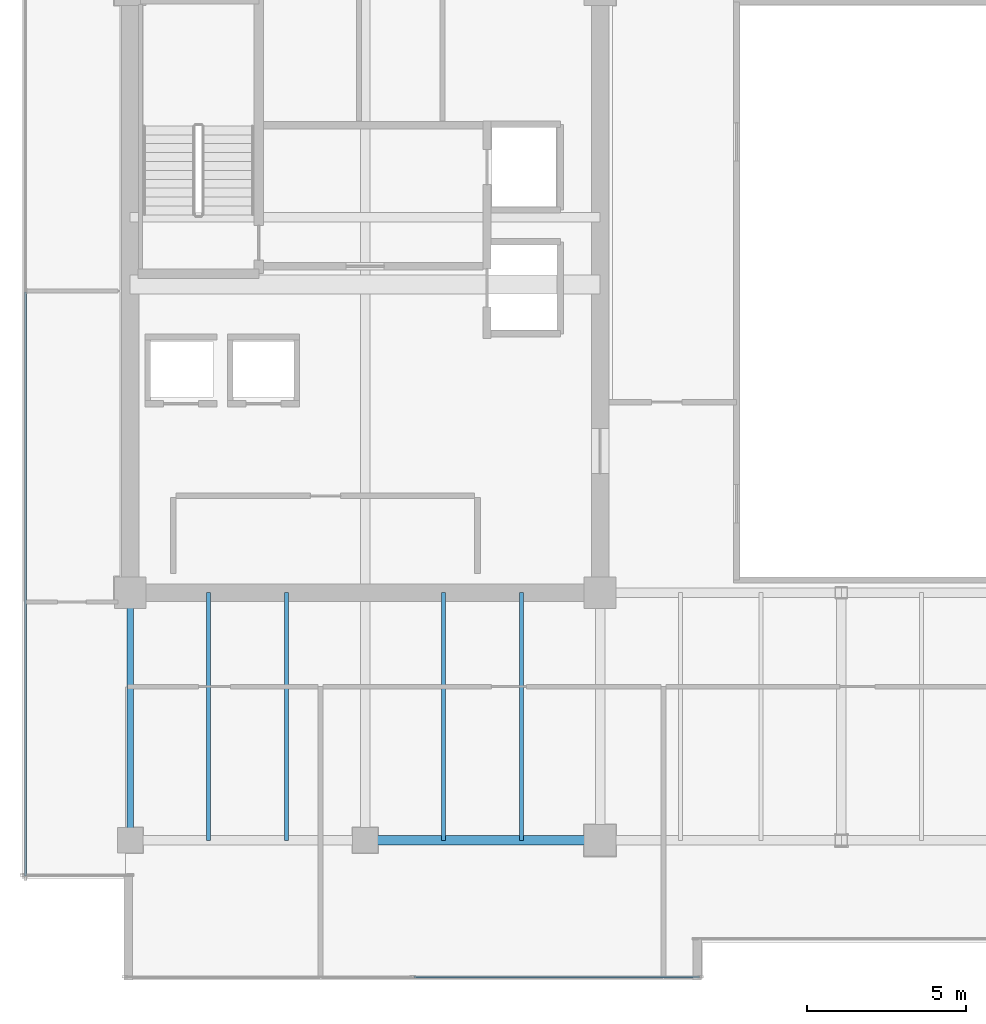
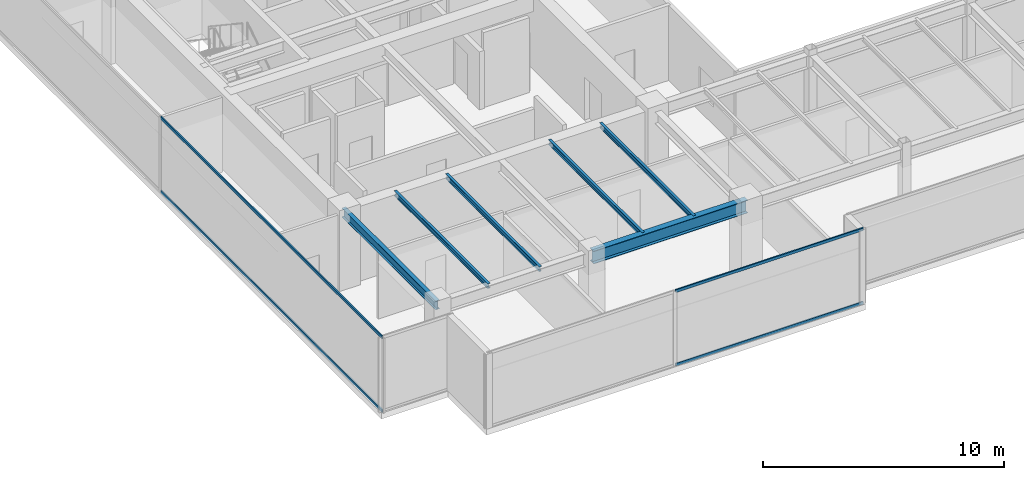
# One storey, part 6 of 36: 6 beams, 4 members, 2 elements without a shape of their own.
"""IFC4 building model written with IfcOpenShell, lengths in metres."""

import ifcopenshell
import ifcopenshell.guid

model = None  # the IFC model being written
_history = None  # IfcOwnerHistory: only IFC2X3 demands one
_inside = {}  # id of a spatial element -> (the spatial element, [elements in it])
_under = {}  # id of a project, library or spatial element -> (it, [spatial elements below it])
_declared = {}  # id of a project -> (the project, [libraries it declares])
_typed = {}  # id of a type object -> (the type object, [elements of that type])
_made_of = {}  # id of a material, layer set ... -> (it, [elements and type objects made of it])


def new_model(schema):
    """Start an empty IFC model of exactly this schema.

    Asked for "IFC4X3", IfcOpenShell would pick the latest addendum, in which some entities
    have other attributes; the version numbers below select the first issue.
    IFC2X3 requires an IfcOwnerHistory on every rooted entity: one is made here for all.
    """
    global model, _history
    if schema == "IFC4X3":
        model = ifcopenshell.file(schema_version=(4, 3, 0, 0))
    else:
        model = ifcopenshell.file(schema=schema)
    _inside.clear()
    _under.clear()
    _declared.clear()
    _typed.clear()
    _made_of.clear()
    _history = None
    if model.schema == "IFC2X3":
        org = make("IfcOrganization", Name="unknown")
        user = make(
            "IfcPersonAndOrganization",
            ThePerson=make("IfcPerson", FamilyName="unknown"),
            TheOrganization=org,
        )
        app = make(
            "IfcApplication",
            ApplicationDeveloper=org,
            Version="unknown",
            ApplicationFullName="unknown",
            ApplicationIdentifier="unknown",
        )
        _history = make(
            "IfcOwnerHistory",
            OwningUser=user,
            OwningApplication=app,
            ChangeAction="ADDED",
            CreationDate=0,
        )
    return model


def make(cls, **values):
    """One entity of the class cls with the attributes given. An attribute that is None is left unset."""
    return model.create_entity(
        cls, **{name: value for name, value in values.items() if value is not None}
    )


def rooted(cls, **values):
    """An entity with a GlobalId (a new one), such as an element, a storey or a relation."""
    return make(cls, GlobalId=ifcopenshell.guid.new(), OwnerHistory=_history, **values)


def si_unit(unit_type, name, prefix=None):
    """IfcSIUnit, for example si_unit("LENGTHUNIT", "METRE", prefix="MILLI")."""
    return make("IfcSIUnit", UnitType=unit_type, Prefix=prefix, Name=name)


def assignment(units):
    """IfcUnitAssignment: the units of a project."""
    return None if units is None else make("IfcUnitAssignment", Units=units)


def point(xyz):
    """IfcCartesianPoint."""
    return None if xyz is None else make("IfcCartesianPoint", Coordinates=xyz)


def direction(xyz):
    """IfcDirection."""
    return None if xyz is None else make("IfcDirection", DirectionRatios=xyz)


def frame(location, z_axis=None, x_axis=None):
    """IfcAxis2Placement3D, a coordinate frame: its origin and axes. An axis left out is left unset."""
    return make(
        "IfcAxis2Placement3D",
        Location=point(location),
        Axis=direction(z_axis),
        RefDirection=direction(x_axis),
    )


def frame_2d(location, x_axis=None):
    """IfcAxis2Placement2D, a coordinate frame in the plane: its origin and x axis."""
    return make(
        "IfcAxis2Placement2D", Location=point(location), RefDirection=direction(x_axis)
    )


def origin():
    """The frame at (0, 0, 0) with its axes left unset."""
    return frame((0.0, 0.0, 0.0))


def origin_2d():
    """The frame at (0, 0) in the plane with its x axis left unset."""
    return frame_2d((0.0, 0.0))


def place(relative_to, where):
    """IfcLocalPlacement: puts the frame where relative to a parent placement (None: the world)."""
    return make(
        "IfcLocalPlacement", PlacementRelTo=relative_to, RelativePlacement=where
    )


def context(
    kind, dimensions, precision=None, world=None, true_north=None, identifier=None
):
    """IfcGeometricRepresentationContext, for example the 3D "Model" context."""
    return make(
        "IfcGeometricRepresentationContext",
        ContextIdentifier=identifier,
        ContextType=kind,
        CoordinateSpaceDimension=dimensions,
        Precision=precision,
        WorldCoordinateSystem=world,
        TrueNorth=true_north,
    )


def subcontext(parent, identifier, kind, view, scale=None):
    """IfcGeometricRepresentationSubContext, for example "Body" below "Model"."""
    return make(
        "IfcGeometricRepresentationSubContext",
        ContextIdentifier=identifier,
        ContextType=kind,
        ParentContext=parent,
        TargetScale=scale,
        TargetView=view,
    )


def project(units=None, contexts=None):
    """IfcProject with its units and contexts."""
    return rooted(
        "IfcProject",
        Name="project",
        RepresentationContexts=contexts,
        UnitsInContext=assignment(units),
    )


def spatial(cls, under=None, at=None, **own):
    """A site, building, storey or space (cls), placed at a placement, below another one or the project."""
    s = rooted(cls, ObjectPlacement=at, **own)
    if under is not None:
        _under.setdefault(under.id(), (under, []))[1].append(s)
    return s


def profile(cls, at=None, kind="AREA", **sizes):
    """A parametric profile (cls). Its sizes go by their IFC names, for example OverallWidth=200.0."""
    return make(cls, ProfileType=kind, Position=at, **sizes)


def hollow_rectangle(**sizes):
    """IfcRectangleHollowProfileDef."""
    return profile("IfcRectangleHollowProfileDef", **sizes)


def i_section(**sizes):
    """IfcIShapeProfileDef."""
    return profile("IfcIShapeProfileDef", **sizes)


def extrude(swept, where, along, depth):
    """IfcExtrudedAreaSolid: the profile swept, set in the frame where, extruded along a direction by depth."""
    return make(
        "IfcExtrudedAreaSolid",
        SweptArea=swept,
        Position=where,
        ExtrudedDirection=direction(along),
        Depth=depth,
    )


def shape(context_of_items, identifier, shape_type, items):
    """IfcShapeRepresentation: the items that make up one representation, for example the "Body"."""
    return make(
        "IfcShapeRepresentation",
        ContextOfItems=context_of_items,
        RepresentationIdentifier=identifier,
        RepresentationType=shape_type,
        Items=items,
    )


def source(mapping_origin, context_of_items, identifier, shape_type, items):
    """IfcRepresentationMap: a shape defined once, which mapped items show again and again."""
    return make(
        "IfcRepresentationMap",
        MappingOrigin=mapping_origin,
        MappedRepresentation=shape(context_of_items, identifier, shape_type, items),
    )


def transform(
    local_origin,
    x_axis=None,
    y_axis=None,
    z_axis=None,
    scale=None,
    scale2=None,
    scale3=None,
    uniform=True,
):
    """IfcCartesianTransformationOperator3D, or its non-uniform kind. x_axis, y_axis, z_axis: its Axis1, 2, 3."""
    if uniform:
        return make(
            "IfcCartesianTransformationOperator3D",
            Axis1=direction(x_axis),
            Axis2=direction(y_axis),
            LocalOrigin=point(local_origin),
            Scale=scale,
            Axis3=direction(z_axis),
        )
    return make(
        "IfcCartesianTransformationOperator3DnonUniform",
        Axis1=direction(x_axis),
        Axis2=direction(y_axis),
        LocalOrigin=point(local_origin),
        Scale=scale,
        Axis3=direction(z_axis),
        Scale2=scale2,
        Scale3=scale3,
    )


def mapped(mapping_source, mapping_target):
    """IfcMappedItem: shows the shape of a source again, moved by a transform."""
    return make(
        "IfcMappedItem", MappingSource=mapping_source, MappingTarget=mapping_target
    )


def material(Name=None, Category=None):
    """IfcMaterial."""
    return make("IfcMaterial", Name=Name, Category=Category)


def layer(
    of_material, thickness, ventilated=None, Name=None, Category=None, Priority=None
):
    """IfcMaterialLayer: one layer of a wall or slab, of a material (None: an air gap)."""
    return make(
        "IfcMaterialLayer",
        Material=of_material,
        LayerThickness=thickness,
        IsVentilated=ventilated,
        Name=Name,
        Category=Category,
        Priority=Priority,
    )


def layer_set(layers, Name=None):
    """IfcMaterialLayerSet."""
    return make("IfcMaterialLayerSet", MaterialLayers=layers, LayerSetName=Name)


def material_profile(
    of_material, cross_section, Name=None, Category=None, Priority=None
):
    """IfcMaterialProfile: a cross section and its material."""
    return make(
        "IfcMaterialProfile",
        Name=Name,
        Material=of_material,
        Profile=cross_section,
        Priority=Priority,
        Category=Category,
    )


def profile_set(profiles, Name=None, composite=None):
    """IfcMaterialProfileSet."""
    return make(
        "IfcMaterialProfileSet",
        Name=Name,
        MaterialProfiles=profiles,
        CompositeProfile=composite,
    )


def made_of(thing, what):
    """Note that an element or type object is made of a material, layer set ...; save() writes the relation."""
    if what is not None:
        _made_of.setdefault(what.id(), (what, []))[1].append(thing)
    return thing


def type_object(cls, material=None, **own):
    """A type object (cls), such as IfcWallType, which elements share."""
    return made_of(rooted(cls, **own), material)


def type_shapes(of_type, sources):
    """Give a type object the sources (RepresentationMaps) that its elements show as mapped items."""
    of_type.RepresentationMaps = sources


def element(
    cls,
    number,
    at=None,
    inside=None,
    cuts=None,
    type_object=None,
    material=None,
    context=None,
    identifier="Body",
    shape_type=None,
    held_by="IfcProductDefinitionShape",
    body=None,
    shapes=None,
    **own,
):
    """One element of the class cls, such as IfcWall. Its Tag is "e" and its number.

    at: its placement. inside: the storey or other place that contains it. cuts: it is an
    opening in that element (IfcRelVoidsElement). A single representation is given by context,
    identifier, shape_type and body (its items); several are given by shapes. held_by: the class
    of the entity that holds the representations. save() writes the other relations.
    """
    e = rooted(cls, Tag="e%d" % number, ObjectPlacement=at, **own)
    if body is not None:
        shapes = [shape(context, identifier, shape_type, body)]
    if shapes is not None:
        e.Representation = make(held_by, Representations=shapes)
    if inside is not None:
        _inside.setdefault(inside.id(), (inside, []))[1].append(e)
    if cuts is not None:
        rooted(
            "IfcRelVoidsElement", RelatingBuildingElement=cuts, RelatedOpeningElement=e
        )
    if type_object is not None:
        _typed.setdefault(type_object.id(), (type_object, []))[1].append(e)
    return made_of(e, material)


def aggregate(whole, parts):
    """IfcRelAggregates: a whole, such as a stair, and the parts it consists of."""
    return rooted("IfcRelAggregates", RelatingObject=whole, RelatedObjects=parts)


def save(model, path):
    """Write the relations noted so far, then the file.

    IfcRelAggregates (storeys below a building ...), IfcRelContainedInSpatialStructure (elements
    in a storey), IfcRelDefinesByType, IfcRelAssociatesMaterial and IfcRelDeclares: one each for
    every whole, place, type object, material and project.
    """
    for whole, parts in _under.values():
        aggregate(whole, parts)
    for where, things in _inside.values():
        rooted(
            "IfcRelContainedInSpatialStructure",
            RelatedElements=things,
            RelatingStructure=where,
        )
    for kind, things in _typed.values():
        rooted("IfcRelDefinesByType", RelatedObjects=things, RelatingType=kind)
    for what, things in _made_of.values():
        rooted("IfcRelAssociatesMaterial", RelatedObjects=things, RelatingMaterial=what)
    for by, libraries in _declared.values():
        rooted("IfcRelDeclares", RelatingContext=by, RelatedDefinitions=libraries)
    model.write(path)


model = new_model("IFC4")

# Units and contexts
model_context = context("Model", 3, precision=1e-05, world=origin(), true_north=direction((0.0, 1.0)))
body_context = subcontext(model_context, "Body", "Model", "MODEL_VIEW")
ifc_project = project(units=[si_unit("LENGTHUNIT", "METRE"), si_unit("AREAUNIT", "SQUARE_METRE"), si_unit("VOLUMEUNIT", "CUBIC_METRE"), si_unit("PLANEANGLEUNIT", "RADIAN"), si_unit("MASSUNIT", "GRAM", prefix="KILO")], contexts=[model_context])

# Site, building, storey
site_placement = place(None, origin())
site = spatial("IfcSite", under=ifc_project, at=site_placement, CompositionType="ELEMENT")
building_placement = place(site_placement, origin())
building = spatial("IfcBuilding", under=site, at=building_placement, Name="Haelvirn Gate Laboratories", CompositionType="ELEMENT")
storey_placement = place(building_placement, frame((0.0, 0.0, 262.89990234375)))
storey = spatial("IfcBuildingStorey", under=building, at=storey_placement, Name="L63", CompositionType="ELEMENT", Elevation=262.89990234375)

# Beams
ifc_material_1 = material(Name="Steel SM355", Category="steel")
ifc_material_profile_1 = material_profile(ifc_material_1, i_section(OverallWidth=0.300048828125, OverallDepth=0.64990234375, WebThickness=0.012939453125, FlangeThickness=0.02197265625, at=origin_2d()), Name="H-650x300x13x22")
ifc_profile_set_1 = profile_set([ifc_material_profile_1], Name="Steel SM355")
beam_type_1 = type_object("IfcBeamType", Name="BM-G-650", PredefinedType="BEAM", material=ifc_profile_set_1)
shared_shape_1 = source(origin(), body_context, "Body", "SweptSolid", [
    extrude(i_section(OverallWidth=0.300048828125, OverallDepth=0.64990234375, WebThickness=0.012939453125, FlangeThickness=0.02197265625, at=origin_2d()), origin(), (0.0, 0.0, 1.0), 7.39990234375),
])
type_shapes(beam_type_1, [shared_shape_1])
beam_1_placement = place(storey_placement, frame((14.800048828125, 7.0, 3.47509765625), z_axis=(1.0, 0.0, 0.0), x_axis=(0.0, 1.0, 0.0)))
element("IfcBeam", 1, at=beam_1_placement, inside=storey, type_object=beam_type_1, Name="L63 Primary Girder Y7.0 (14.8-22.2)", PredefinedType="BEAM", context=body_context, shape_type="MappedRepresentation", body=[
    mapped(shared_shape_1, transform((0.0, 0.0, 0.0), scale=1.0)),
])
ifc_material_profile_2 = material_profile(ifc_material_1, i_section(OverallWidth=0.199951171875, OverallDepth=0.449951171875, WebThickness=0.009033203125, FlangeThickness=0.013916015625, at=origin_2d()), Name="H-450x200x9x14")
ifc_profile_set_2 = profile_set([ifc_material_profile_2], Name="Steel SM355")
beam_type_2 = type_object("IfcBeamType", Name="BM-SP-450", PredefinedType="SPANDREL", material=ifc_profile_set_2)
shared_shape_2 = source(origin(), body_context, "Body", "SweptSolid", [
    extrude(i_section(OverallWidth=0.199951171875, OverallDepth=0.449951171875, WebThickness=0.009033203125, FlangeThickness=0.013916015625, at=origin_2d()), origin(), (0.0, 0.0, 1.0), 7.800048828125),
])
type_shapes(beam_type_2, [shared_shape_2])
beam_2_placement = place(storey_placement, frame((7.39990234375, 7.0, 3.5751953125), z_axis=(0.0, 1.0, 0.0), x_axis=(-1.0, 0.0, 0.0)))
element("IfcBeam", 2, at=beam_2_placement, inside=storey, type_object=beam_type_2, Name="L63 Perimeter Spandrel X7.4 (7.0-14.8)", PredefinedType="SPANDREL", context=body_context, shape_type="MappedRepresentation", body=[
    mapped(shared_shape_2, transform((0.0, 0.0, 0.0), scale=1.0)),
])
ifc_material_profile_3 = material_profile(ifc_material_1, i_section(OverallWidth=0.125, OverallDepth=0.25, WebThickness=0.006103515625, FlangeThickness=0.009033203125, at=origin_2d()), Name="H-250x125x6x9")
ifc_profile_set_3 = profile_set([ifc_material_profile_3], Name="Steel SM355")
beam_type_3 = type_object("IfcBeamType", Name="BM-J-250", PredefinedType="JOIST", material=ifc_profile_set_3)
shared_shape_3 = source(origin(), body_context, "Body", "SweptSolid", [
    extrude(i_section(OverallWidth=0.125, OverallDepth=0.25, WebThickness=0.006103515625, FlangeThickness=0.009033203125, at=origin_2d()), origin(), (0.0, 0.0, 1.0), 7.800048828125),
])
type_shapes(beam_type_3, [shared_shape_3])
for number, where, z_axis, x_axis, name in (
    (3, (9.8701171875, 7.0, 3.675048828125), (0.0, 1.0, 0.0), (-1.0, 0.0, 0.0), "L63 Composite Lab Joist South X9.87"),
    (4, (12.330078125, 7.0, 3.675048828125), (0.0, 1.0, 0.0), (-1.0, 0.0, 0.0), "L63 Composite Lab Joist South X12.33"),
    (5, (17.27001953125, 7.0, 3.675048828125), (0.0, 1.0, 0.0), (-1.0, 0.0, 0.0), "L63 Composite Lab Joist South X17.27"),
    (6, (19.72998046875, 7.0, 3.675048828125), (0.0, 1.0, 0.0), (-1.0, 0.0, 0.0), "L63 Composite Lab Joist South X19.73"),
):
    element("IfcBeam", number, at=place(storey_placement, frame(where, z_axis=z_axis, x_axis=x_axis)), inside=storey, type_object=beam_type_3, Name=name, PredefinedType="JOIST", context=body_context, shape_type="MappedRepresentation", body=[
        mapped(shared_shape_3, transform((0.0, 0.0, 0.0), scale=1.0)),
    ])

# Curtain wall, members
ifc_material_2 = material(Name="Anodised bronze unitised aluminium & triple low-E glass", Category="aluminium")
ifc_layer = layer(ifc_material_2, 0.176025390625, Name="CW-SYS-4")
ifc_layer_set = layer_set([ifc_layer], Name="Anodised bronze unitised aluminium & triple low-E glass")
curtain_wall_type = type_object("IfcCurtainWallType", Name="CW-SYS-4", PredefinedType="NOTDEFINED", material=ifc_layer_set)
curtain_wall_1_placement = place(storey_placement, origin())
curtain_wall_1 = element("IfcCurtainWall", 7, at=curtain_wall_1_placement, inside=storey, type_object=curtain_wall_type, Name="L63 Unitised Curtain Wall CW-L63-P0-E00-1", PredefinedType="NOTDEFINED")
ifc_material_3 = material(Name="Extruded aluminium 6063-T6 (anodised bronze)", Category="aluminium")
ifc_material_profile_4 = material_profile(ifc_material_3, hollow_rectangle(XDim=0.06494140625, YDim=0.139892578125, WallThickness=0.00390625, at=origin_2d()), Name="CWT-140x65x4")
ifc_profile_set_4 = profile_set([ifc_material_profile_4], Name="Extruded aluminium 6063-T6 (anodised bronze)")
member_type = type_object("IfcMemberType", Name="CWT-T140", PredefinedType="USERDEFINED", material=ifc_profile_set_4)
shared_shape_4 = source(origin(), body_context, "Body", "SweptSolid", [
    extrude(hollow_rectangle(XDim=0.06494140625, YDim=0.139892578125, WallThickness=0.00390625, at=origin_2d()), origin(), (0.0, 0.0, 1.0), 8.9951171875),
])
member_1_placement = place(storey_placement, frame((16.3349609375, 2.699951171875, 0.03271484375), z_axis=(1.0, 0.0, 0.0), x_axis=(0.0, 1.0, 0.0)))
member_1 = element("IfcMember", 8, at=member_1_placement, type_object=member_type, Name="CW4 transom 2.1", ObjectType="TRANSOM", PredefinedType="USERDEFINED", context=body_context, shape_type="MappedRepresentation", body=[
    mapped(shared_shape_4, transform((0.0, 0.0, 0.0), scale=1.0)),
])
member_2_placement = place(storey_placement, frame((16.3349609375, 2.699951171875, 3.767578125), z_axis=(1.0, 0.0, 0.0), x_axis=(0.0, 1.0, 0.0)))
member_2 = element("IfcMember", 9, at=member_2_placement, type_object=member_type, Name="CW4 transom 2.2", ObjectType="TRANSOM", PredefinedType="USERDEFINED", context=body_context, shape_type="MappedRepresentation", body=[
    mapped(shared_shape_4, transform((0.0, 0.0, 0.0), scale=1.0)),
])
aggregate(curtain_wall_1, [member_1, member_2])

curtain_wall_2_placement = place(storey_placement, origin())
curtain_wall_2 = element("IfcCurtainWall", 10, at=curtain_wall_2_placement, inside=storey, type_object=curtain_wall_type, Name="L63 Unitised Curtain Wall CW-L63-P0-E17", PredefinedType="NOTDEFINED")
shared_shape_5 = source(origin(), body_context, "Body", "SweptSolid", [
    extrude(hollow_rectangle(XDim=0.06494140625, YDim=0.139892578125, WallThickness=0.00390625, at=origin_2d()), origin(), (0.0, 0.0, 1.0), 18.394775390625),
])
type_shapes(member_type, [shared_shape_4, shared_shape_5])
member_3_placement = place(storey_placement, frame((4.10009765625, 24.264892578125, 0.03271484375), z_axis=(0.0, -1.0, 0.0), x_axis=(1.0, 0.0, 0.0)))
member_3 = element("IfcMember", 11, at=member_3_placement, type_object=member_type, Name="CW4 transom 2.1", ObjectType="TRANSOM", PredefinedType="USERDEFINED", context=body_context, shape_type="MappedRepresentation", body=[
    mapped(shared_shape_5, transform((0.0, 0.0, 0.0), scale=1.0)),
])
member_4_placement = place(storey_placement, frame((4.10009765625, 24.264892578125, 3.767578125), z_axis=(0.0, -1.0, 0.0), x_axis=(1.0, 0.0, 0.0)))
member_4 = element("IfcMember", 12, at=member_4_placement, type_object=member_type, Name="CW4 transom 2.2", ObjectType="TRANSOM", PredefinedType="USERDEFINED", context=body_context, shape_type="MappedRepresentation", body=[
    mapped(shared_shape_5, transform((0.0, 0.0, 0.0), scale=1.0)),
])
aggregate(curtain_wall_2, [member_3, member_4])

save(model, "model.ifc")
